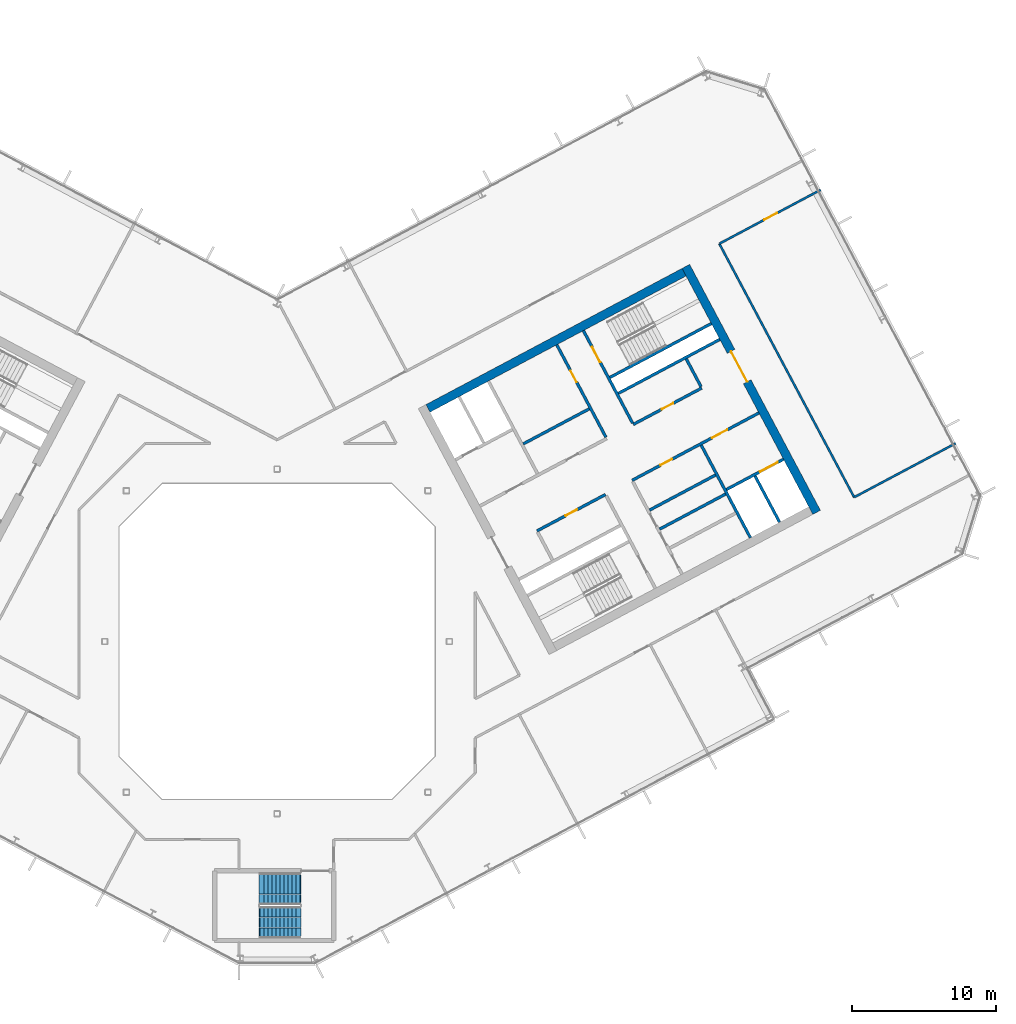
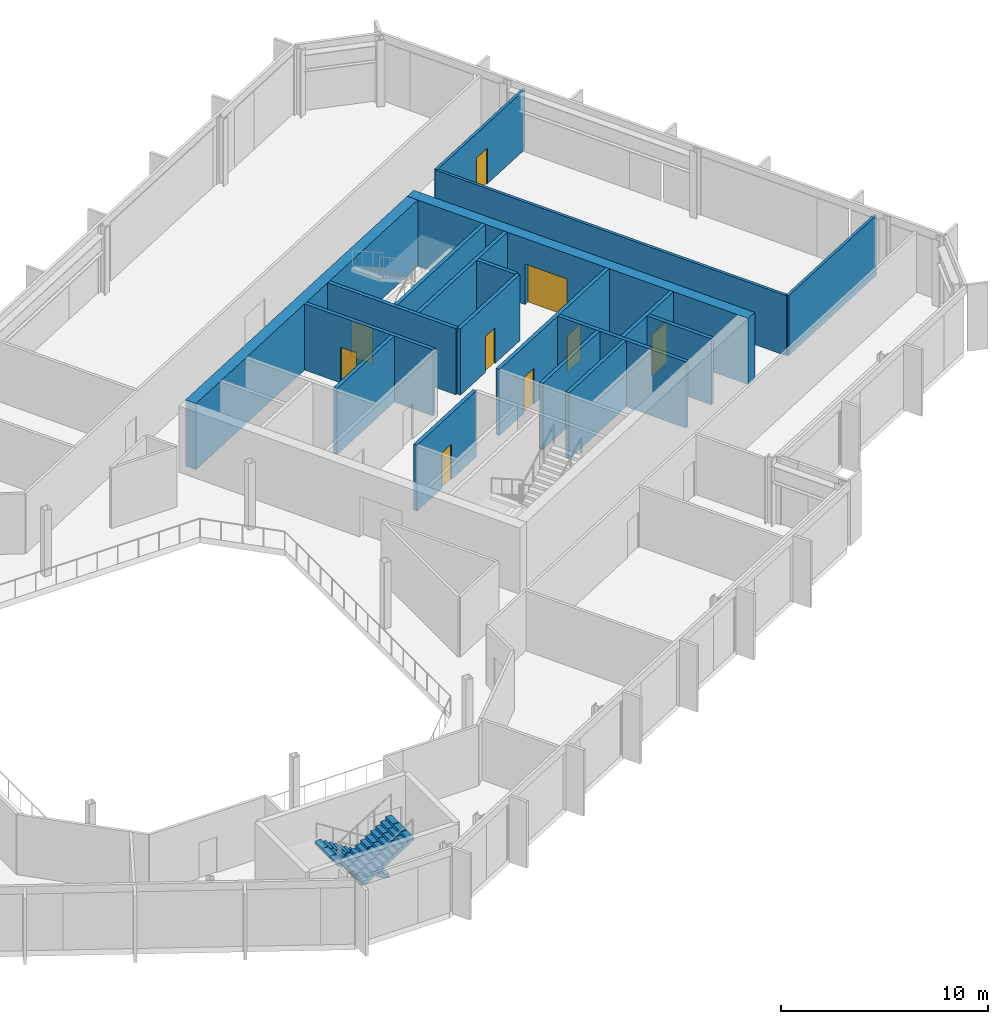
# One storey, part 17 of 27: 19 walls, 9 doors, 2 stair flights, 9 openings, 1 element without a shape of its own.
"""IFC4 building model written with IfcOpenShell, lengths in metres."""

from ifc_helpers import new_model, si_unit, direction, frame, frame_2d, origin, place, context, subcontext, project, spatial, polyline, rectangle, outline, extrude, material, layer, layer_set, type_object, element, fill, aggregate, save


model = new_model("IFC4")

# Units and contexts
model_context = context("Model", 3, precision=1e-05, world=origin(), true_north=direction((0.0, 1.0)))
body_context = subcontext(model_context, "Body", "Model", "MODEL_VIEW")
ifc_project = project(units=[si_unit("LENGTHUNIT", "METRE"), si_unit("AREAUNIT", "SQUARE_METRE"), si_unit("VOLUMEUNIT", "CUBIC_METRE"), si_unit("PLANEANGLEUNIT", "RADIAN"), si_unit("MASSUNIT", "GRAM", prefix="KILO")], contexts=[model_context])

# Site, building, storey
site_placement = place(None, origin())
site = spatial("IfcSite", under=ifc_project, at=site_placement, CompositionType="ELEMENT")
building_placement = place(site_placement, origin())
building = spatial("IfcBuilding", under=site, at=building_placement, Name="Cormorant Relay Tower", CompositionType="ELEMENT")
storey_placement = place(building_placement, frame((0.0, 0.0, 209.10009765625)))
storey = spatial("IfcBuildingStorey", under=building, at=storey_placement, Name="L45", CompositionType="ELEMENT", Elevation=209.10009765625)

# Wall
ifc_material_1 = material(Name="Concrete 40 MPa", Category="concrete")
ifc_layer_1 = layer(ifc_material_1, 0.199951171875)
ifc_layer_set_1 = layer_set([ifc_layer_1], Name="Core internal wall 200")
wall_type_1 = type_object("IfcWallType", Name="Core internal wall 200", PredefinedType="SOLIDWALL", material=ifc_layer_set_1)
wall_1_placement = place(storey_placement, frame((26.645263671875, 7.8251953125, 0.0), z_axis=(0.0, 0.0, 1.0), x_axis=(0.882953967957, 0.469459572775, 0.0)))
element("IfcWall", 1, at=wall_1_placement, inside=storey, type_object=wall_type_1, Name="L45 core B shaft and room wall", PredefinedType="SOLIDWALL", context=body_context, shape_type="SweptSolid", body=[
    extrude(rectangle(XDim=5.199951171875, YDim=0.199951171875, at=frame_2d((2.60009765625, 0.0))), origin(), (0.0, 0.0, 1.0), 3.89990234375),
])

# Wall, opening, door
ifc_material_2 = material(Name="Concrete 50 MPa", Category="concrete")
ifc_layer_2 = layer(ifc_material_2, 0.199951171875)
ifc_layer_set_2 = layer_set([ifc_layer_2], Name="Core shaft wall 200")
wall_type_2 = type_object("IfcWallType", Name="Core shaft wall 200", PredefinedType="SHEAR", material=ifc_layer_set_2)
wall_2_placement = place(storey_placement, frame((22.90625, 14.218017578125, 0.0), z_axis=(0.0, 0.0, 1.0), x_axis=(-0.469480409012, 0.88294288918, 0.0)))
wall_2 = element("IfcWall", 2, at=wall_2_placement, inside=storey, type_object=wall_type_2, Name="L45 core B shaft wall", PredefinedType="SHEAR", context=body_context, shape_type="SweptSolid", body=[
    extrude(rectangle(XDim=7.300048828125, YDim=0.199951171875, at=frame_2d((3.64990234375, 0.0))), origin(), (0.0, 0.0, 1.0), 3.89990234375),
])
opening_1_placement = place(wall_2_placement, frame((4.35009765625, 0.0, 0.0)))
opening_1 = element("IfcOpeningElement", 3, at=opening_1_placement, cuts=wall_2, Name="Opening CDD-264", PredefinedType="OPENING", context=body_context, shape_type="SweptSolid", body=[
    extrude(rectangle(XDim=0.89990234375, YDim=2.10009765625, at=frame_2d((0.449951171875, 1.050048828125))), frame((0.0, 0.10986328125, 0.0), z_axis=(0.0, -1.0, 0.0), x_axis=(1.0, 0.0, 0.0)), (0.0, 0.0, 1.0), 0.219970703125),
])
ifc_material_3 = material(Name="Steel fire door", Category="steel")
door_type_1 = type_object("IfcDoorType", Name="Core room door 900x2100", OperationType="SINGLE_SWING_LEFT", PredefinedType="DOOR", material=ifc_material_3)
door_1_placement = place(opening_1_placement, origin())
door_1 = element("IfcDoor", 4, at=door_1_placement, inside=storey, type_object=door_type_1, Name="Core room door 900x2100", OperationType="SINGLE_SWING_LEFT", OverallHeight=2.10009765625, OverallWidth=0.89990234375, PredefinedType="DOOR", context=body_context, shape_type="SweptSolid", body=[
    extrude(rectangle(XDim=0.89990234375, YDim=2.10009765625, at=frame_2d((0.449951171875, 1.050048828125))), frame((0.0, 0.02490234375, 0.0), z_axis=(0.0, -1.0, 0.0), x_axis=(1.0, 0.0, 0.0)), (0.0, 0.0, 1.0), 0.050048828125),
])
fill(opening_1, door_1)

wall_3_placement = place(storey_placement, frame((24.760498046875, 15.2041015625, 0.0), z_axis=(0.0, 0.0, 1.0), x_axis=(-0.469494272526, 0.882935517501, 0.0)))
wall_3 = element("IfcWall", 5, at=wall_3_placement, inside=storey, type_object=wall_type_2, Name="L45 core B shaft wall", PredefinedType="SHEAR", context=body_context, shape_type="SweptSolid", body=[
    extrude(rectangle(XDim=7.2998046875, YDim=0.199951171875, at=frame_2d((3.64990234375, 0.0))), origin(), (0.0, 0.0, 1.0), 3.89990234375),
])
opening_2_placement = place(wall_3_placement, frame((4.800048828125, 0.0, 0.0)))
opening_2 = element("IfcOpeningElement", 6, at=opening_2_placement, cuts=wall_3, Name="Opening CDB-041", PredefinedType="OPENING", context=body_context, shape_type="SweptSolid", body=[
    extrude(rectangle(XDim=1.199951171875, YDim=2.10009765625, at=frame_2d((0.60009765625, 1.050048828125))), frame((0.0, 0.10986328125, 0.0), z_axis=(0.0, -1.0, 0.0), x_axis=(1.0, 0.0, 0.0)), (0.0, 0.0, 1.0), 0.219970703125),
])
ifc_material_4 = material(Name="Steel fire door", Category="steel")
door_type_2 = type_object("IfcDoorType", Name="Core stair door 1200x2100", OperationType="SINGLE_SWING_LEFT", PredefinedType="DOOR", material=ifc_material_4)
door_2_placement = place(opening_2_placement, frame((1.199951171875, 0.0, 0.0), z_axis=(0.0, 0.0, 1.0), x_axis=(-1.0, 0.0, 0.0)))
door_2 = element("IfcDoor", 7, at=door_2_placement, inside=storey, type_object=door_type_2, Name="Core stair door 1200x2100", OperationType="SINGLE_SWING_RIGHT", OverallHeight=2.10009765625, OverallWidth=1.199951171875, PredefinedType="DOOR", context=body_context, shape_type="SweptSolid", body=[
    extrude(rectangle(XDim=1.199951171875, YDim=2.10009765625, at=frame_2d((0.60009765625, 1.050048828125))), frame((0.0, 0.02490234375, 0.0), z_axis=(0.0, -1.0, 0.0), x_axis=(1.0, 0.0, 0.0)), (0.0, 0.0, 1.0), 0.050048828125),
])
fill(opening_2, door_2)

# Walls
wall_4_placement = place(storey_placement, frame((32.968017578125, 7.222900390625, 0.0), z_axis=(0.0, 0.0, 1.0), x_axis=(-0.469480409012, 0.88294288918, 0.0)))
element("IfcWall", 8, at=wall_4_placement, inside=storey, type_object=wall_type_2, Name="L45 core B shaft wall", PredefinedType="SHEAR", context=body_context, shape_type="SweptSolid", body=[
    extrude(rectangle(XDim=7.300048828125, YDim=0.199951171875, at=frame_2d((3.64990234375, 0.0))), origin(), (0.0, 0.0, 1.0), 3.89990234375),
])
wall_5_placement = place(storey_placement, frame((29.5283203125, 17.739013671875, 0.0), z_axis=(0.0, 0.0, 1.0), x_axis=(-0.469401318492, 0.882984938828, 0.0)))
element("IfcWall", 9, at=wall_5_placement, inside=storey, type_object=wall_type_2, Name="L45 core B shaft wall", PredefinedType="SHEAR", context=body_context, shape_type="SweptSolid", body=[
    extrude(rectangle(XDim=2.199951171875, YDim=0.199951171875, at=frame_2d((1.10009765625, 0.0))), origin(), (0.0, 0.0, 1.0), 3.89990234375),
])
wall_6_placement = place(storey_placement, frame((34.998779296875, 8.302734375, 0.0), z_axis=(0.0, 0.0, 1.0), x_axis=(-0.4694665462, 0.882950260207, 0.0)))
element("IfcWall", 10, at=wall_6_placement, inside=storey, type_object=wall_type_2, Name="L45 core B shaft wall", PredefinedType="SHEAR", context=body_context, shape_type="SweptSolid", body=[
    extrude(rectangle(XDim=3.650146484375, YDim=0.199951171875, at=frame_2d((1.8251953125, 0.0))), origin(), (0.0, 0.0, 1.0), 3.89990234375),
])

# Wall, opening, door
wall_7_placement = place(storey_placement, frame((31.295654296875, 10.5810546875, 0.0), z_axis=(0.0, 0.0, 1.0), x_axis=(0.882960433586, 0.469447412093, 0.0)))
wall_7 = element("IfcWall", 11, at=wall_7_placement, inside=storey, type_object=wall_type_2, Name="L45 core B shaft wall", PredefinedType="SHEAR", context=body_context, shape_type="SweptSolid", body=[
    extrude(rectangle(XDim=4.5, YDim=0.199951171875, at=frame_2d((2.25, 0.0))), origin(), (0.0, 0.0, 1.0), 3.89990234375),
])
opening_3_placement = place(wall_7_placement, frame((2.64990234375, 0.0, 0.0)))
opening_3 = element("IfcOpeningElement", 12, at=opening_3_placement, cuts=wall_7, Name="Opening LD3-016", PredefinedType="OPENING", context=body_context, shape_type="SweptSolid", body=[
    extrude(rectangle(XDim=1.39990234375, YDim=2.39990234375, at=frame_2d((0.699951171875, 1.199951171875))), frame((0.0, 0.10986328125, 0.0), z_axis=(0.0, -1.0, 0.0), x_axis=(1.0, 0.0, 0.0)), (0.0, 0.0, 1.0), 0.219970703125),
])
ifc_material_5 = material(Name="Stainless steel 316", Category="steel")
door_type_3 = type_object("IfcDoorType", Name="Lift landing door 1400x2400", OperationType="DOUBLE_DOOR_SLIDING", PredefinedType="DOOR", material=ifc_material_5)
door_3_placement = place(opening_3_placement, origin())
door_3 = element("IfcDoor", 13, at=door_3_placement, inside=storey, type_object=door_type_3, Name="SV2 landing door", OperationType="DOUBLE_DOOR_SLIDING", OverallHeight=2.39990234375, OverallWidth=1.39990234375, PredefinedType="DOOR", context=body_context, shape_type="SweptSolid", body=[
    extrude(rectangle(XDim=1.39990234375, YDim=2.39990234375, at=frame_2d((0.699951171875, 1.199951171875))), frame((0.0, 0.02490234375, 0.0), z_axis=(0.0, -1.0, 0.0), x_axis=(1.0, 0.0, 0.0)), (0.0, 0.0, 1.0), 0.050048828125),
])
fill(opening_3, door_3)

# Wall
wall_8_placement = place(storey_placement, frame((25.94091796875, 9.149658203125, 0.0), z_axis=(0.0, 0.0, 1.0), x_axis=(0.882953967957, 0.469459572775, 0.0)))
element("IfcWall", 14, at=wall_8_placement, inside=storey, type_object=wall_type_2, Name="L45 core B shaft wall", PredefinedType="SHEAR", context=body_context, shape_type="SweptSolid", body=[
    extrude(rectangle(XDim=5.199951171875, YDim=0.199951171875, at=frame_2d((2.60009765625, 0.0))), origin(), (0.0, 0.0, 1.0), 3.89990234375),
])

# Wall, opening, door
wall_9_placement = place(storey_placement, frame((18.103759765625, 7.70068359375, 0.0), z_axis=(0.0, 0.0, 1.0), x_axis=(0.882952937579, 0.469461510692, 0.0)))
wall_9 = element("IfcWall", 15, at=wall_9_placement, inside=storey, type_object=wall_type_2, Name="L45 core B shaft wall", PredefinedType="SHEAR", context=body_context, shape_type="SweptSolid", body=[
    extrude(rectangle(XDim=5.400146484375, YDim=0.199951171875, at=frame_2d((2.7001953125, 0.0))), origin(), (0.0, 0.0, 1.0), 3.89990234375),
])
opening_4_placement = place(wall_9_placement, frame((2.25, 0.0, 0.0)))
opening_4 = element("IfcOpeningElement", 16, at=opening_4_placement, cuts=wall_9, Name="Opening CDD-262", PredefinedType="OPENING", context=body_context, shape_type="SweptSolid", body=[
    extrude(rectangle(XDim=0.89990234375, YDim=2.10009765625, at=frame_2d((0.449951171875, 1.050048828125))), frame((0.0, 0.10986328125, 0.0), z_axis=(0.0, -1.0, 0.0), x_axis=(1.0, 0.0, 0.0)), (0.0, 0.0, 1.0), 0.219970703125),
])
door_4_placement = place(opening_4_placement, frame((0.89990234375, 0.0, 0.0), z_axis=(0.0, 0.0, 1.0), x_axis=(-1.0, 0.0, 0.0)))
door_4 = element("IfcDoor", 17, at=door_4_placement, inside=storey, type_object=door_type_1, Name="Core room door 900x2100", OperationType="SINGLE_SWING_RIGHT", OverallHeight=2.10009765625, OverallWidth=0.89990234375, PredefinedType="DOOR", context=body_context, shape_type="SweptSolid", body=[
    extrude(rectangle(XDim=0.89990234375, YDim=2.10009765625, at=frame_2d((0.449951171875, 1.050048828125))), frame((0.0, 0.02490234375, 0.0), z_axis=(0.0, -1.0, 0.0), x_axis=(1.0, 0.0, 0.0)), (0.0, 0.0, 1.0), 0.050048828125),
])
fill(opening_4, door_4)

# Wall, openings, doors
wall_10_placement = place(storey_placement, frame((24.72607421875, 11.2216796875, 0.0), z_axis=(0.0, 0.0, 1.0), x_axis=(0.882940221191, 0.469485426614, 0.0)))
wall_10 = element("IfcWall", 18, at=wall_10_placement, inside=storey, type_object=wall_type_2, Name="L45 core B shaft wall", PredefinedType="SHEAR", context=body_context, shape_type="SweptSolid", body=[
    extrude(rectangle(XDim=10.0, YDim=0.199951171875, at=frame_2d((5.0, 0.0))), origin(), (0.0, 0.0, 1.0), 3.89990234375),
])
opening_5_placement = place(wall_10_placement, frame((6.300048828125, 0.0, 0.0)))
opening_5 = element("IfcOpeningElement", 19, at=opening_5_placement, cuts=wall_10, Name="Opening CDC-038", PredefinedType="OPENING", context=body_context, shape_type="SweptSolid", body=[
    extrude(rectangle(XDim=1.199951171875, YDim=2.10009765625, at=frame_2d((0.60009765625, 1.050048828125))), frame((0.0, 0.10986328125, 0.0), z_axis=(0.0, -1.0, 0.0), x_axis=(1.0, 0.0, 0.0)), (0.0, 0.0, 1.0), 0.219970703125),
])
opening_6_placement = place(wall_10_placement, frame((2.25, 0.0, 0.0)))
opening_6 = element("IfcOpeningElement", 20, at=opening_6_placement, cuts=wall_10, Name="Opening CDD-263", PredefinedType="OPENING", context=body_context, shape_type="SweptSolid", body=[
    extrude(rectangle(XDim=0.89990234375, YDim=2.10009765625, at=frame_2d((0.449951171875, 1.050048828125))), frame((0.0, 0.10986328125, 0.0), z_axis=(0.0, -1.0, 0.0), x_axis=(1.0, 0.0, 0.0)), (0.0, 0.0, 1.0), 0.219970703125),
])
ifc_material_6 = material(Name="Steel fire door", Category="steel")
door_type_4 = type_object("IfcDoorType", Name="Core lobby door 1200x2100", OperationType="SINGLE_SWING_LEFT", PredefinedType="DOOR", material=ifc_material_6)
door_5_placement = place(opening_5_placement, origin())
door_5 = element("IfcDoor", 21, at=door_5_placement, inside=storey, type_object=door_type_4, Name="Core lobby door 1200x2100", OperationType="SINGLE_SWING_LEFT", OverallHeight=2.10009765625, OverallWidth=1.199951171875, PredefinedType="DOOR", context=body_context, shape_type="SweptSolid", body=[
    extrude(rectangle(XDim=1.199951171875, YDim=2.10009765625, at=frame_2d((0.60009765625, 1.050048828125))), frame((0.0, 0.02490234375, 0.0), z_axis=(0.0, -1.0, 0.0), x_axis=(1.0, 0.0, 0.0)), (0.0, 0.0, 1.0), 0.050048828125),
])
fill(opening_5, door_5)
door_6_placement = place(opening_6_placement, frame((0.89990234375, 0.0, 0.0), z_axis=(0.0, 0.0, 1.0), x_axis=(-1.0, 0.0, 0.0)))
door_6 = element("IfcDoor", 22, at=door_6_placement, inside=storey, type_object=door_type_1, Name="Core room door 900x2100", OperationType="SINGLE_SWING_RIGHT", OverallHeight=2.10009765625, OverallWidth=0.89990234375, PredefinedType="DOOR", context=body_context, shape_type="SweptSolid", body=[
    extrude(rectangle(XDim=0.89990234375, YDim=2.10009765625, at=frame_2d((0.449951171875, 1.050048828125))), frame((0.0, 0.02490234375, 0.0), z_axis=(0.0, -1.0, 0.0), x_axis=(1.0, 0.0, 0.0)), (0.0, 0.0, 1.0), 0.050048828125),
])
fill(opening_6, door_6)

# Wall, opening, door
wall_11_placement = place(storey_placement, frame((24.807373046875, 15.11572265625, 0.0), z_axis=(0.0, 0.0, 1.0), x_axis=(0.882942972946, 0.469480251476, 0.0)))
wall_11 = element("IfcWall", 23, at=wall_11_placement, inside=storey, type_object=wall_type_2, Name="L45 core B shaft wall", PredefinedType="SHEAR", context=body_context, shape_type="SweptSolid", body=[
    extrude(rectangle(XDim=5.39990234375, YDim=0.199951171875, at=frame_2d((2.699951171875, 0.0))), origin(), (0.0, 0.0, 1.0), 3.89990234375),
])
opening_7_placement = place(wall_11_placement, frame((2.25, 0.0, 0.0)))
opening_7 = element("IfcOpeningElement", 24, at=opening_7_placement, cuts=wall_11, Name="Opening CDD-261", PredefinedType="OPENING", context=body_context, shape_type="SweptSolid", body=[
    extrude(rectangle(XDim=0.89990234375, YDim=2.10009765625, at=frame_2d((0.449951171875, 1.050048828125))), frame((0.0, 0.10986328125, 0.0), z_axis=(0.0, -1.0, 0.0), x_axis=(1.0, 0.0, 0.0)), (0.0, 0.0, 1.0), 0.219970703125),
])
door_7_placement = place(opening_7_placement, origin())
door_7 = element("IfcDoor", 25, at=door_7_placement, inside=storey, type_object=door_type_1, Name="Core room door 900x2100", OperationType="SINGLE_SWING_LEFT", OverallHeight=2.10009765625, OverallWidth=0.89990234375, PredefinedType="DOOR", context=body_context, shape_type="SweptSolid", body=[
    extrude(rectangle(XDim=0.89990234375, YDim=2.10009765625, at=frame_2d((0.449951171875, 1.050048828125))), frame((0.0, 0.02490234375, 0.0), z_axis=(0.0, -1.0, 0.0), x_axis=(1.0, 0.0, 0.0)), (0.0, 0.0, 1.0), 0.050048828125),
])
fill(opening_7, door_7)

# Walls
wall_12_placement = place(storey_placement, frame((17.146728515625, 13.7607421875, 0.0), z_axis=(0.0, 0.0, 1.0), x_axis=(0.882964314875, 0.469440111896, 0.0)))
element("IfcWall", 26, at=wall_12_placement, inside=storey, type_object=wall_type_2, Name="L45 core B shaft wall", PredefinedType="SHEAR", context=body_context, shape_type="SweptSolid", body=[
    extrude(rectangle(XDim=5.2001953125, YDim=0.199951171875, at=frame_2d((2.60009765625, 0.0))), origin(), (0.0, 0.0, 1.0), 3.89990234375),
])
wall_13_placement = place(storey_placement, frame((23.76904296875, 17.28173828125, 0.0), z_axis=(0.0, 0.0, 1.0), x_axis=(0.882940221191, 0.469485426614, 0.0)))
element("IfcWall", 27, at=wall_13_placement, inside=storey, type_object=wall_type_2, Name="L45 core B shaft wall", PredefinedType="SHEAR", context=body_context, shape_type="SweptSolid", body=[
    extrude(rectangle(XDim=8.0, YDim=0.199951171875, at=frame_2d((4.0, 0.0))), origin(), (0.0, 0.0, 1.0), 3.89990234375),
])
wall_14_placement = place(storey_placement, frame((23.18212890625, 18.385498046875, 0.0), z_axis=(0.0, 0.0, 1.0), x_axis=(0.88295287151, 0.469461634952, 0.0)))
element("IfcWall", 28, at=wall_14_placement, inside=storey, type_object=wall_type_2, Name="L45 core B shaft wall", PredefinedType="SHEAR", context=body_context, shape_type="SweptSolid", body=[
    extrude(rectangle(XDim=7.999755859375, YDim=0.199951171875, at=frame_2d((4.0, 0.0))), origin(), (0.0, 0.0, 1.0), 3.89990234375),
])

# Wall, opening, door
ifc_material_7 = material(Name="Concrete 50 MPa", Category="concrete")
ifc_layer_3 = layer(ifc_material_7, 0.60009765625)
ifc_layer_set_3 = layer_set([ifc_layer_3], Name="Core wall 600")
wall_type_3 = type_object("IfcWallType", Name="Core wall 600", PredefinedType="SHEAR", material=ifc_layer_set_3)
wall_15_placement = place(storey_placement, frame((37.576171875, 8.99365234375, 0.0), z_axis=(0.0, 0.0, 1.0), x_axis=(-0.469478769487, 0.88294376095, 0.0)))
wall_15 = element("IfcWall", 29, at=wall_15_placement, inside=storey, type_object=wall_type_3, Name="L45 core B wall", PredefinedType="SHEAR", context=body_context, shape_type="SweptSolid", body=[
    extrude(rectangle(XDim=19.400146484375, YDim=0.60009765625, at=frame_2d((9.7001953125, 0.0))), origin(), (0.0, 0.0, 1.0), 3.89990234375),
])
opening_8_placement = place(wall_15_placement, frame((10.300048828125, 0.0, 0.0)))
opening_8 = element("IfcOpeningElement", 30, at=opening_8_placement, cuts=wall_15, Name="Opening CDA-043", PredefinedType="OPENING", context=body_context, shape_type="SweptSolid", body=[
    extrude(rectangle(XDim=2.39990234375, YDim=2.39990234375, at=frame_2d((1.199951171875, 1.199951171875))), frame((0.0, 0.31005859375, 0.0), z_axis=(0.0, -1.0, 0.0), x_axis=(1.0, 0.0, 0.0)), (0.0, 0.0, 1.0), 0.6201171875),
])
ifc_material_8 = material(Name="Steel fire door", Category="steel")
door_type_5 = type_object("IfcDoorType", Name="Core lobby door 2400x2400", OperationType="DOUBLE_DOOR_SINGLE_SWING", PredefinedType="DOOR", material=ifc_material_8)
door_8_placement = place(opening_8_placement, origin())
door_8 = element("IfcDoor", 31, at=door_8_placement, inside=storey, type_object=door_type_5, Name="Core lobby door 2400x2400", OperationType="DOUBLE_DOOR_SINGLE_SWING", OverallHeight=2.39990234375, OverallWidth=2.39990234375, PredefinedType="DOOR", context=body_context, shape_type="SweptSolid", body=[
    extrude(rectangle(XDim=2.39990234375, YDim=2.39990234375, at=frame_2d((1.199951171875, 1.199951171875))), frame((0.0, 0.02490234375, 0.0), z_axis=(0.0, -1.0, 0.0), x_axis=(1.0, 0.0, 0.0)), (0.0, 0.0, 1.0), 0.050048828125),
])
fill(opening_8, door_8)

# Wall
wall_16_placement = place(storey_placement, frame((10.5087890625, 16.23388671875, 0.0), z_axis=(0.0, 0.0, 1.0), x_axis=(0.88295010195, 0.469466843842, 0.0)))
element("IfcWall", 32, at=wall_16_placement, inside=storey, type_object=wall_type_3, Name="L45 core B wall", PredefinedType="SHEAR", context=body_context, shape_type="SweptSolid", body=[
    extrude(rectangle(XDim=20.199951171875, YDim=0.60009765625, at=frame_2d((10.10009765625, 0.0))), origin(), (0.0, 0.0, 1.0), 3.89990234375),
])

# Wall, opening, door
ifc_material_9 = material(Name="Gypsum board fire partition")
ifc_layer_4 = layer(ifc_material_9, 0.14990234375)
ifc_layer_set_4 = layer_set([ifc_layer_4], Name="Corridor partition 150 EI 60")
wall_type_4 = type_object("IfcWallType", Name="Corridor partition 150 EI 60", PredefinedType="PARTITIONING", material=ifc_layer_set_4)
wall_17_placement = place(storey_placement, frame((37.863037109375, 31.4580078125, 0.0), z_axis=(0.0, 0.0, 1.0), x_axis=(-0.882914115089, -0.469534519898, 0.0)))
wall_17 = element("IfcWall", 33, at=wall_17_placement, inside=storey, type_object=wall_type_4, Name="wall/L45/part/041", PredefinedType="PARTITIONING", context=body_context, shape_type="SweptSolid", body=[
    extrude(rectangle(XDim=7.99951171875, YDim=0.14990234375, at=frame_2d((3.999755859375, 0.0))), origin(), (0.0, 0.0, 1.0), 3.539794921875),
])
opening_9_placement = place(wall_17_placement, frame((3.450927734375, 0.0, 0.0)))
opening_9 = element("IfcOpeningElement", 34, at=opening_9_placement, cuts=wall_17, Name="Opening DS-137", PredefinedType="OPENING", context=body_context, shape_type="SweptSolid", body=[
    extrude(rectangle(XDim=1.0, YDim=2.10009765625, at=frame_2d((0.5, 1.050048828125))), frame((0.0, 0.0849609375, 0.0), z_axis=(0.0, -1.0, 0.0), x_axis=(1.0, 0.0, 0.0)), (0.0, 0.0, 1.0), 0.169921875),
])
ifc_material_10 = material(Name="Timber door leaf", Category="wood")
door_type_6 = type_object("IfcDoorType", Name="Suite door 1000x2100", OperationType="SINGLE_SWING_LEFT", PredefinedType="DOOR", material=ifc_material_10)
door_9_placement = place(opening_9_placement, origin())
door_9 = element("IfcDoor", 35, at=door_9_placement, inside=storey, type_object=door_type_6, Name="door/L45/021", OperationType="SINGLE_SWING_RIGHT", OverallHeight=2.10009765625, OverallWidth=1.0, PredefinedType="DOOR", context=body_context, shape_type="SweptSolid", body=[
    extrude(rectangle(XDim=1.0, YDim=2.10009765625, at=frame_2d((0.5, 1.050048828125))), frame((0.0, 0.02490234375, 0.0), z_axis=(0.0, -1.0, 0.0), x_axis=(1.0, 0.0, 0.0)), (0.0, 0.0, 1.0), 0.050048828125),
])
fill(opening_9, door_9)

# Walls
wall_18_placement = place(storey_placement, frame((30.800048828125, 27.701904296875, 0.0), z_axis=(0.0, 0.0, 1.0), x_axis=(0.469451816494, -0.882958091865, 0.0)))
element("IfcWall", 36, at=wall_18_placement, inside=storey, type_object=wall_type_4, Name="wall/L45/part/042", PredefinedType="PARTITIONING", context=body_context, shape_type="SweptSolid", body=[
    extrude(rectangle(XDim=19.999755859375, YDim=0.14990234375, at=frame_2d((10.0, 0.0))), origin(), (0.0, 0.0, 1.0), 3.539794921875),
])
wall_19_placement = place(storey_placement, frame((40.18896484375, 10.04296875, 0.0), z_axis=(0.0, 0.0, 1.0), x_axis=(0.882991619958, 0.469388750487, 0.0)))
element("IfcWall", 37, at=wall_19_placement, inside=storey, type_object=wall_type_4, Name="wall/L45/part/043", PredefinedType="PARTITIONING", context=body_context, shape_type="SweptSolid", body=[
    extrude(rectangle(XDim=8.0, YDim=0.14990234375, at=frame_2d((4.0, 0.0))), origin(), (0.0, 0.0, 1.0), 3.539794921875),
])

# Stair, stair flights
ifc_material_11 = material(Name="Concrete 40 MPa", Category="concrete")
stair_type = type_object("IfcStairType", Name="Remote exit stair 2200", PredefinedType="HALF_TURN_STAIR", material=ifc_material_11)
stair_placement = place(storey_placement, origin())
stair = element("IfcStair", 38, at=stair_placement, inside=storey, type_object=stair_type, Name="L45 Stair", PredefinedType="HALF_TURN_STAIR")
ifc_material_12 = material(Name="Concrete 40 MPa", Category="concrete")
stair_flight_type = type_object("IfcStairFlightType", Name="Remote exit stair flight 2200", PredefinedType="STRAIGHT", material=ifc_material_12)
stair_flight_1_placement = place(storey_placement, frame((1.60009765625, -17.22509765625, 0.0), z_axis=(0.0, 0.0, 1.0), x_axis=(-1.0, 0.0, 0.0)))
stair_flight_1 = element("IfcStairFlight", 39, at=stair_flight_1_placement, type_object=stair_flight_type, Name="RK1 flight 1", NumberOfRisers=11, NumberOfTreads=10, PredefinedType="STRAIGHT", RiserHeight=0.177272727, TreadLength=0.28, context=body_context, shape_type="SweptSolid", body=[
    extrude(outline(polyline([(-0.050048828125, -0.080078125), (-0.050048828125, 0.0), (0.0, 0.0), (0.0, 0.17724609375), (0.280029296875, 0.17724609375), (0.280029296875, 0.3544921875), (0.56005859375, 0.3544921875), (0.56005859375, 0.53173828125), (0.840087890625, 0.53173828125), (0.840087890625, 0.708984375), (1.1201171875, 0.708984375), (1.1201171875, 0.886474609375), (1.39990234375, 0.886474609375), (1.39990234375, 1.063720703125), (1.679931640625, 1.063720703125), (1.679931640625, 1.240966796875), (1.9599609375, 1.240966796875), (1.9599609375, 1.418212890625), (2.239990234375, 1.418212890625), (2.239990234375, 1.595458984375), (2.52001953125, 1.595458984375), (2.52001953125, 1.772705078125), (2.800048828125, 1.772705078125), (2.85009765625, 1.772705078125), (2.85009765625, 1.59521484375), (2.800048828125, 1.59521484375), (0.2802734375, 0.0), (-0.050048828125, -0.080078125)])), frame((0.0, 1.10009765625, 0.0), z_axis=(0.0, -1.0, 0.0), x_axis=(1.0, 0.0, 0.0)), (0.0, 0.0, 1.0), 0.719970703125),
    extrude(outline(polyline([(-0.050048828125, -0.080078125), (-0.050048828125, 0.0), (0.0, 0.0), (0.0, 0.17724609375), (0.280029296875, 0.17724609375), (0.280029296875, 0.3544921875), (0.56005859375, 0.3544921875), (0.56005859375, 0.53173828125), (0.840087890625, 0.53173828125), (0.840087890625, 0.708984375), (1.1201171875, 0.708984375), (1.1201171875, 0.886474609375), (1.39990234375, 0.886474609375), (1.39990234375, 1.063720703125), (1.679931640625, 1.063720703125), (1.679931640625, 1.240966796875), (1.9599609375, 1.240966796875), (1.9599609375, 1.418212890625), (2.239990234375, 1.418212890625), (2.239990234375, 1.595458984375), (2.52001953125, 1.595458984375), (2.52001953125, 1.772705078125), (2.800048828125, 1.772705078125), (2.85009765625, 1.772705078125), (2.85009765625, 1.59521484375), (2.800048828125, 1.59521484375), (0.2802734375, 0.0), (-0.050048828125, -0.080078125)])), frame((0.0, 0.360107421875, 0.0), z_axis=(0.0, -1.0, 0.0), x_axis=(1.0, 0.0, 0.0)), (0.0, 0.0, 1.0), 0.719970703125),
    extrude(outline(polyline([(-0.050048828125, -0.080078125), (-0.050048828125, 0.0), (0.0, 0.0), (0.0, 0.17724609375), (0.280029296875, 0.17724609375), (0.280029296875, 0.3544921875), (0.56005859375, 0.3544921875), (0.56005859375, 0.53173828125), (0.840087890625, 0.53173828125), (0.840087890625, 0.708984375), (1.1201171875, 0.708984375), (1.1201171875, 0.886474609375), (1.39990234375, 0.886474609375), (1.39990234375, 1.063720703125), (1.679931640625, 1.063720703125), (1.679931640625, 1.240966796875), (1.9599609375, 1.240966796875), (1.9599609375, 1.418212890625), (2.239990234375, 1.418212890625), (2.239990234375, 1.595458984375), (2.52001953125, 1.595458984375), (2.52001953125, 1.772705078125), (2.800048828125, 1.772705078125), (2.85009765625, 1.772705078125), (2.85009765625, 1.59521484375), (2.800048828125, 1.59521484375), (0.2802734375, 0.0), (-0.050048828125, -0.080078125)])), frame((0.0, -0.3798828125, 0.0), z_axis=(0.0, -1.0, 0.0), x_axis=(1.0, 0.0, 0.0)), (0.0, 0.0, 1.0), 0.719970703125),
])
stair_flight_2_placement = place(storey_placement, frame((-1.199951171875, -19.574951171875, 1.949951171875), z_axis=(0.0, 0.0, 1.0), x_axis=(1.0, 0.0, 0.0)))
stair_flight_2 = element("IfcStairFlight", 40, at=stair_flight_2_placement, type_object=stair_flight_type, Name="RK1 flight 2", NumberOfRisers=11, NumberOfTreads=10, PredefinedType="STRAIGHT", RiserHeight=0.177272727, TreadLength=0.28, context=body_context, shape_type="SweptSolid", body=[
    extrude(outline(polyline([(-0.050048828125, -0.080078125), (-0.050048828125, 0.0), (0.0, 0.0), (0.0, 0.17724609375), (0.280029296875, 0.17724609375), (0.280029296875, 0.3544921875), (0.56005859375, 0.3544921875), (0.56005859375, 0.53173828125), (0.840087890625, 0.53173828125), (0.840087890625, 0.708984375), (1.1201171875, 0.708984375), (1.1201171875, 0.886474609375), (1.39990234375, 0.886474609375), (1.39990234375, 1.063720703125), (1.679931640625, 1.063720703125), (1.679931640625, 1.240966796875), (1.9599609375, 1.240966796875), (1.9599609375, 1.418212890625), (2.239990234375, 1.418212890625), (2.239990234375, 1.595458984375), (2.52001953125, 1.595458984375), (2.52001953125, 1.772705078125), (2.800048828125, 1.772705078125), (2.85009765625, 1.772705078125), (2.85009765625, 1.59521484375), (2.800048828125, 1.59521484375), (0.2802734375, 0.0), (-0.050048828125, -0.080078125)])), frame((0.0, 1.10009765625, 0.0), z_axis=(0.0, -1.0, 0.0), x_axis=(1.0, 0.0, 0.0)), (0.0, 0.0, 1.0), 0.719970703125),
    extrude(outline(polyline([(-0.050048828125, -0.080078125), (-0.050048828125, 0.0), (0.0, 0.0), (0.0, 0.17724609375), (0.280029296875, 0.17724609375), (0.280029296875, 0.3544921875), (0.56005859375, 0.3544921875), (0.56005859375, 0.53173828125), (0.840087890625, 0.53173828125), (0.840087890625, 0.708984375), (1.1201171875, 0.708984375), (1.1201171875, 0.886474609375), (1.39990234375, 0.886474609375), (1.39990234375, 1.063720703125), (1.679931640625, 1.063720703125), (1.679931640625, 1.240966796875), (1.9599609375, 1.240966796875), (1.9599609375, 1.418212890625), (2.239990234375, 1.418212890625), (2.239990234375, 1.595458984375), (2.52001953125, 1.595458984375), (2.52001953125, 1.772705078125), (2.800048828125, 1.772705078125), (2.85009765625, 1.772705078125), (2.85009765625, 1.59521484375), (2.800048828125, 1.59521484375), (0.2802734375, 0.0), (-0.050048828125, -0.080078125)])), frame((0.0, 0.360107421875, 0.0), z_axis=(0.0, -1.0, 0.0), x_axis=(1.0, 0.0, 0.0)), (0.0, 0.0, 1.0), 0.719970703125),
    extrude(outline(polyline([(-0.050048828125, -0.080078125), (-0.050048828125, 0.0), (0.0, 0.0), (0.0, 0.17724609375), (0.280029296875, 0.17724609375), (0.280029296875, 0.3544921875), (0.56005859375, 0.3544921875), (0.56005859375, 0.53173828125), (0.840087890625, 0.53173828125), (0.840087890625, 0.708984375), (1.1201171875, 0.708984375), (1.1201171875, 0.886474609375), (1.39990234375, 0.886474609375), (1.39990234375, 1.063720703125), (1.679931640625, 1.063720703125), (1.679931640625, 1.240966796875), (1.9599609375, 1.240966796875), (1.9599609375, 1.418212890625), (2.239990234375, 1.418212890625), (2.239990234375, 1.595458984375), (2.52001953125, 1.595458984375), (2.52001953125, 1.772705078125), (2.800048828125, 1.772705078125), (2.85009765625, 1.772705078125), (2.85009765625, 1.59521484375), (2.800048828125, 1.59521484375), (0.2802734375, 0.0), (-0.050048828125, -0.080078125)])), frame((0.0, -0.3798828125, 0.0), z_axis=(0.0, -1.0, 0.0), x_axis=(1.0, 0.0, 0.0)), (0.0, 0.0, 1.0), 0.719970703125),
])
aggregate(stair, [stair_flight_1, stair_flight_2])

save(model, "model.ifc")
